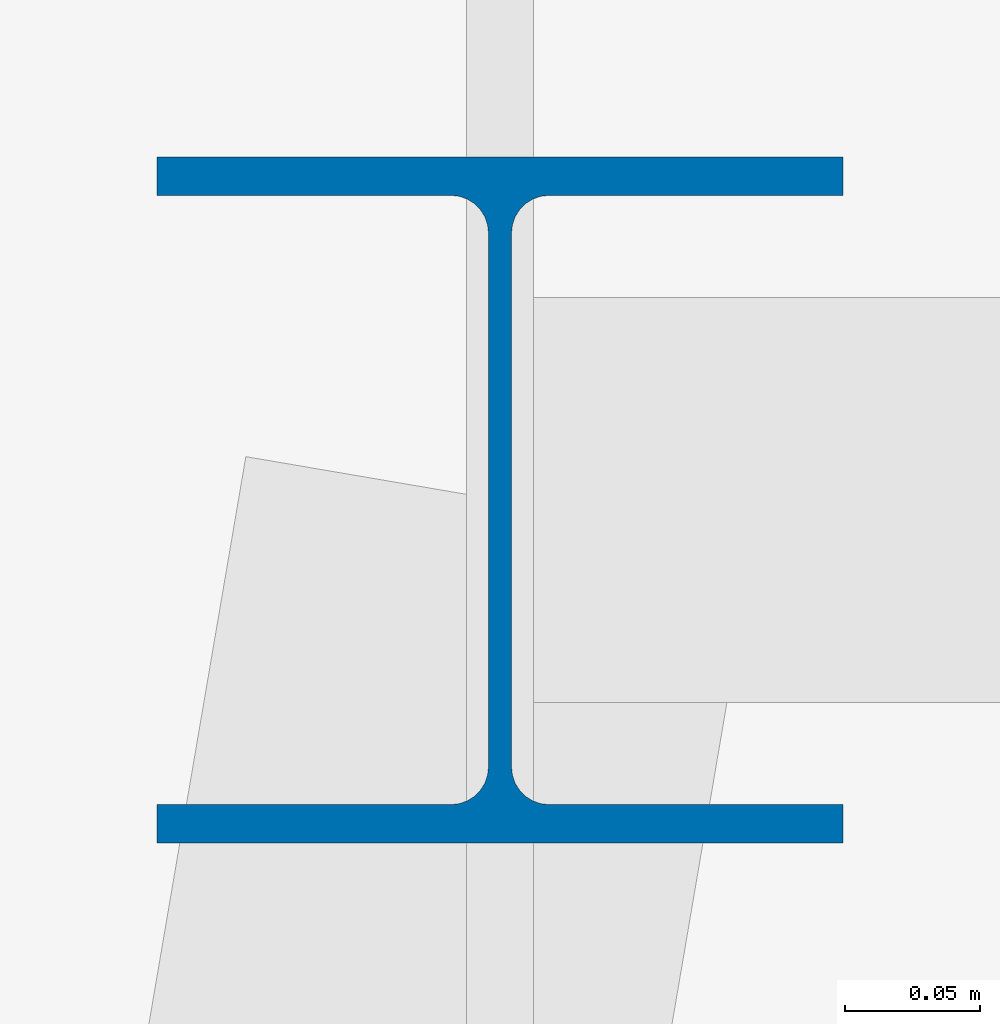
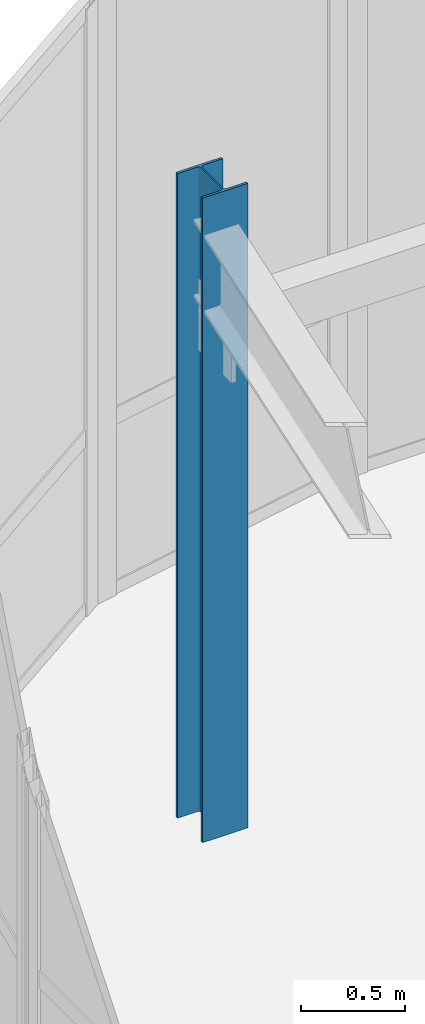
# One storey, part 4 of 36: 1 column.
"""IFC4 building model written with IfcOpenShell, lengths in metres."""

import ifcopenshell
import ifcopenshell.guid

model = None  # the IFC model being written
_history = None  # IfcOwnerHistory: only IFC2X3 demands one
_inside = {}  # id of a spatial element -> (the spatial element, [elements in it])
_under = {}  # id of a project, library or spatial element -> (it, [spatial elements below it])
_declared = {}  # id of a project -> (the project, [libraries it declares])
_typed = {}  # id of a type object -> (the type object, [elements of that type])
_made_of = {}  # id of a material, layer set ... -> (it, [elements and type objects made of it])


def new_model(schema):
    """Start an empty IFC model of exactly this schema.

    Asked for "IFC4X3", IfcOpenShell would pick the latest addendum, in which some entities
    have other attributes; the version numbers below select the first issue.
    IFC2X3 requires an IfcOwnerHistory on every rooted entity: one is made here for all.
    """
    global model, _history
    if schema == "IFC4X3":
        model = ifcopenshell.file(schema_version=(4, 3, 0, 0))
    else:
        model = ifcopenshell.file(schema=schema)
    _inside.clear()
    _under.clear()
    _declared.clear()
    _typed.clear()
    _made_of.clear()
    _history = None
    if model.schema == "IFC2X3":
        org = make("IfcOrganization", Name="unknown")
        user = make(
            "IfcPersonAndOrganization",
            ThePerson=make("IfcPerson", FamilyName="unknown"),
            TheOrganization=org,
        )
        app = make(
            "IfcApplication",
            ApplicationDeveloper=org,
            Version="unknown",
            ApplicationFullName="unknown",
            ApplicationIdentifier="unknown",
        )
        _history = make(
            "IfcOwnerHistory",
            OwningUser=user,
            OwningApplication=app,
            ChangeAction="ADDED",
            CreationDate=0,
        )
    return model


def make(cls, **values):
    """One entity of the class cls with the attributes given. An attribute that is None is left unset."""
    return model.create_entity(
        cls, **{name: value for name, value in values.items() if value is not None}
    )


def rooted(cls, **values):
    """An entity with a GlobalId (a new one), such as an element, a storey or a relation."""
    return make(cls, GlobalId=ifcopenshell.guid.new(), OwnerHistory=_history, **values)


def si_unit(unit_type, name, prefix=None):
    """IfcSIUnit, for example si_unit("LENGTHUNIT", "METRE", prefix="MILLI")."""
    return make("IfcSIUnit", UnitType=unit_type, Prefix=prefix, Name=name)


def assignment(units):
    """IfcUnitAssignment: the units of a project."""
    return None if units is None else make("IfcUnitAssignment", Units=units)


def point(xyz):
    """IfcCartesianPoint."""
    return None if xyz is None else make("IfcCartesianPoint", Coordinates=xyz)


def direction(xyz):
    """IfcDirection."""
    return None if xyz is None else make("IfcDirection", DirectionRatios=xyz)


def frame(location, z_axis=None, x_axis=None):
    """IfcAxis2Placement3D, a coordinate frame: its origin and axes. An axis left out is left unset."""
    return make(
        "IfcAxis2Placement3D",
        Location=point(location),
        Axis=direction(z_axis),
        RefDirection=direction(x_axis),
    )


def frame_2d(location, x_axis=None):
    """IfcAxis2Placement2D, a coordinate frame in the plane: its origin and x axis."""
    return make(
        "IfcAxis2Placement2D", Location=point(location), RefDirection=direction(x_axis)
    )


def origin():
    """The frame at (0, 0, 0) with its axes left unset."""
    return frame((0.0, 0.0, 0.0))


def origin_2d():
    """The frame at (0, 0) in the plane with its x axis left unset."""
    return frame_2d((0.0, 0.0))


def place(relative_to, where):
    """IfcLocalPlacement: puts the frame where relative to a parent placement (None: the world)."""
    return make(
        "IfcLocalPlacement", PlacementRelTo=relative_to, RelativePlacement=where
    )


def context(
    kind, dimensions, precision=None, world=None, true_north=None, identifier=None
):
    """IfcGeometricRepresentationContext, for example the 3D "Model" context."""
    return make(
        "IfcGeometricRepresentationContext",
        ContextIdentifier=identifier,
        ContextType=kind,
        CoordinateSpaceDimension=dimensions,
        Precision=precision,
        WorldCoordinateSystem=world,
        TrueNorth=true_north,
    )


def subcontext(parent, identifier, kind, view, scale=None):
    """IfcGeometricRepresentationSubContext, for example "Body" below "Model"."""
    return make(
        "IfcGeometricRepresentationSubContext",
        ContextIdentifier=identifier,
        ContextType=kind,
        ParentContext=parent,
        TargetScale=scale,
        TargetView=view,
    )


def project(units=None, contexts=None):
    """IfcProject with its units and contexts."""
    return rooted(
        "IfcProject",
        Name="project",
        RepresentationContexts=contexts,
        UnitsInContext=assignment(units),
    )


def spatial(cls, under=None, at=None, **own):
    """A site, building, storey or space (cls), placed at a placement, below another one or the project."""
    s = rooted(cls, ObjectPlacement=at, **own)
    if under is not None:
        _under.setdefault(under.id(), (under, []))[1].append(s)
    return s


def profile(cls, at=None, kind="AREA", **sizes):
    """A parametric profile (cls). Its sizes go by their IFC names, for example OverallWidth=200.0."""
    return make(cls, ProfileType=kind, Position=at, **sizes)


def i_section(**sizes):
    """IfcIShapeProfileDef."""
    return profile("IfcIShapeProfileDef", **sizes)


def extrude(swept, where, along, depth):
    """IfcExtrudedAreaSolid: the profile swept, set in the frame where, extruded along a direction by depth."""
    return make(
        "IfcExtrudedAreaSolid",
        SweptArea=swept,
        Position=where,
        ExtrudedDirection=direction(along),
        Depth=depth,
    )


def shape(context_of_items, identifier, shape_type, items):
    """IfcShapeRepresentation: the items that make up one representation, for example the "Body"."""
    return make(
        "IfcShapeRepresentation",
        ContextOfItems=context_of_items,
        RepresentationIdentifier=identifier,
        RepresentationType=shape_type,
        Items=items,
    )


def source(mapping_origin, context_of_items, identifier, shape_type, items):
    """IfcRepresentationMap: a shape defined once, which mapped items show again and again."""
    return make(
        "IfcRepresentationMap",
        MappingOrigin=mapping_origin,
        MappedRepresentation=shape(context_of_items, identifier, shape_type, items),
    )


def transform(
    local_origin,
    x_axis=None,
    y_axis=None,
    z_axis=None,
    scale=None,
    scale2=None,
    scale3=None,
    uniform=True,
):
    """IfcCartesianTransformationOperator3D, or its non-uniform kind. x_axis, y_axis, z_axis: its Axis1, 2, 3."""
    if uniform:
        return make(
            "IfcCartesianTransformationOperator3D",
            Axis1=direction(x_axis),
            Axis2=direction(y_axis),
            LocalOrigin=point(local_origin),
            Scale=scale,
            Axis3=direction(z_axis),
        )
    return make(
        "IfcCartesianTransformationOperator3DnonUniform",
        Axis1=direction(x_axis),
        Axis2=direction(y_axis),
        LocalOrigin=point(local_origin),
        Scale=scale,
        Axis3=direction(z_axis),
        Scale2=scale2,
        Scale3=scale3,
    )


def mapped(mapping_source, mapping_target):
    """IfcMappedItem: shows the shape of a source again, moved by a transform."""
    return make(
        "IfcMappedItem", MappingSource=mapping_source, MappingTarget=mapping_target
    )


def material(Name=None, Category=None):
    """IfcMaterial."""
    return make("IfcMaterial", Name=Name, Category=Category)


def material_profile(
    of_material, cross_section, Name=None, Category=None, Priority=None
):
    """IfcMaterialProfile: a cross section and its material."""
    return make(
        "IfcMaterialProfile",
        Name=Name,
        Material=of_material,
        Profile=cross_section,
        Priority=Priority,
        Category=Category,
    )


def profile_set(profiles, Name=None, composite=None):
    """IfcMaterialProfileSet."""
    return make(
        "IfcMaterialProfileSet",
        Name=Name,
        MaterialProfiles=profiles,
        CompositeProfile=composite,
    )


def made_of(thing, what):
    """Note that an element or type object is made of a material, layer set ...; save() writes the relation."""
    if what is not None:
        _made_of.setdefault(what.id(), (what, []))[1].append(thing)
    return thing


def type_object(cls, material=None, **own):
    """A type object (cls), such as IfcWallType, which elements share."""
    return made_of(rooted(cls, **own), material)


def type_shapes(of_type, sources):
    """Give a type object the sources (RepresentationMaps) that its elements show as mapped items."""
    of_type.RepresentationMaps = sources


def element(
    cls,
    number,
    at=None,
    inside=None,
    cuts=None,
    type_object=None,
    material=None,
    context=None,
    identifier="Body",
    shape_type=None,
    held_by="IfcProductDefinitionShape",
    body=None,
    shapes=None,
    **own,
):
    """One element of the class cls, such as IfcWall. Its Tag is "e" and its number.

    at: its placement. inside: the storey or other place that contains it. cuts: it is an
    opening in that element (IfcRelVoidsElement). A single representation is given by context,
    identifier, shape_type and body (its items); several are given by shapes. held_by: the class
    of the entity that holds the representations. save() writes the other relations.
    """
    e = rooted(cls, Tag="e%d" % number, ObjectPlacement=at, **own)
    if body is not None:
        shapes = [shape(context, identifier, shape_type, body)]
    if shapes is not None:
        e.Representation = make(held_by, Representations=shapes)
    if inside is not None:
        _inside.setdefault(inside.id(), (inside, []))[1].append(e)
    if cuts is not None:
        rooted(
            "IfcRelVoidsElement", RelatingBuildingElement=cuts, RelatedOpeningElement=e
        )
    if type_object is not None:
        _typed.setdefault(type_object.id(), (type_object, []))[1].append(e)
    return made_of(e, material)


def aggregate(whole, parts):
    """IfcRelAggregates: a whole, such as a stair, and the parts it consists of."""
    return rooted("IfcRelAggregates", RelatingObject=whole, RelatedObjects=parts)


def save(model, path):
    """Write the relations noted so far, then the file.

    IfcRelAggregates (storeys below a building ...), IfcRelContainedInSpatialStructure (elements
    in a storey), IfcRelDefinesByType, IfcRelAssociatesMaterial and IfcRelDeclares: one each for
    every whole, place, type object, material and project.
    """
    for whole, parts in _under.values():
        aggregate(whole, parts)
    for where, things in _inside.values():
        rooted(
            "IfcRelContainedInSpatialStructure",
            RelatedElements=things,
            RelatingStructure=where,
        )
    for kind, things in _typed.values():
        rooted("IfcRelDefinesByType", RelatedObjects=things, RelatingType=kind)
    for what, things in _made_of.values():
        rooted("IfcRelAssociatesMaterial", RelatedObjects=things, RelatingMaterial=what)
    for by, libraries in _declared.values():
        rooted("IfcRelDeclares", RelatingContext=by, RelatedDefinitions=libraries)
    model.write(path)


model = new_model("IFC4")

# Units and contexts
model_context = context("Model", 3, precision=1e-05, world=origin(), true_north=direction((0.0, 1.0)))
body_context = subcontext(model_context, "Body", "Model", "MODEL_VIEW")
ifc_project = project(units=[si_unit("LENGTHUNIT", "METRE"), si_unit("AREAUNIT", "SQUARE_METRE"), si_unit("VOLUMEUNIT", "CUBIC_METRE"), si_unit("PLANEANGLEUNIT", "RADIAN"), si_unit("MASSUNIT", "GRAM", prefix="KILO")], contexts=[model_context])

# Site, building, storey
site_placement = place(None, origin())
site = spatial("IfcSite", under=ifc_project, at=site_placement, CompositionType="ELEMENT")
building_placement = place(site_placement, origin())
building = spatial("IfcBuilding", under=site, at=building_placement, Name="Tolvann Quenvar Hotel", CompositionType="ELEMENT")
storey_placement = place(building_placement, frame((0.0, 0.0, 302.35009765625)))
storey = spatial("IfcBuildingStorey", under=building, at=storey_placement, Name="L80", CompositionType="ELEMENT", Elevation=302.35009765625)

# Column
ifc_material = material(Name="Steel Grade 350", Category="steel")
ifc_material_profile = material_profile(ifc_material, i_section(OverallWidth=0.25390625, OverallDepth=0.25390625, WebThickness=0.008544921875, FlangeThickness=0.01416015625, FilletRadius=0.013916015625, at=origin_2d()), Name="250UC73")
ifc_profile_set = profile_set([ifc_material_profile], Name="Steel Grade 350")
column_type = type_object("IfcColumnType", Name="COL_250UC73", PredefinedType="COLUMN", material=ifc_profile_set)
shared_shape = source(origin(), body_context, "Body", "SweptSolid", [
    extrude(i_section(OverallWidth=0.25390625, OverallDepth=0.25390625, WebThickness=0.008544921875, FlangeThickness=0.01416015625, FilletRadius=0.013916015625, at=origin_2d()), origin(), (0.0, 0.0, 1.0), 3.7998046875),
])
type_shapes(column_type, [shared_shape])
column_placement = place(storey_placement, frame((5.800048828125, 41.89990234375, 0.0), z_axis=(0.0, 0.0, 1.0), x_axis=(1.0, 0.0, 0.0)))
element("IfcColumn", 1, at=column_placement, inside=storey, type_object=column_type, Name="Column BN (L80)", PredefinedType="COLUMN", context=body_context, shape_type="MappedRepresentation", body=[
    mapped(shared_shape, transform((0.0, 0.0, 0.0), x_axis=(1.0, 0.0, 0.0), y_axis=(0.0, 1.0, 0.0), z_axis=(0.0, 0.0, 1.0), scale=1.0)),
])

save(model, "model.ifc")
